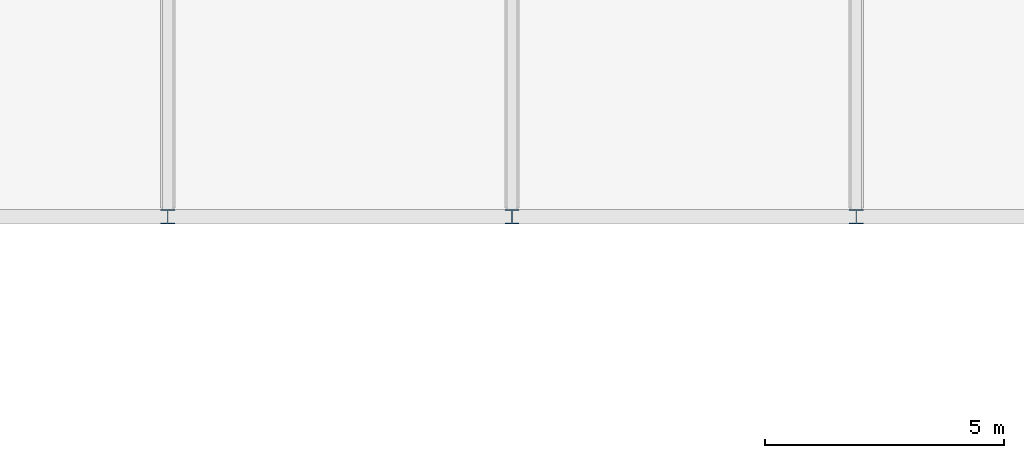
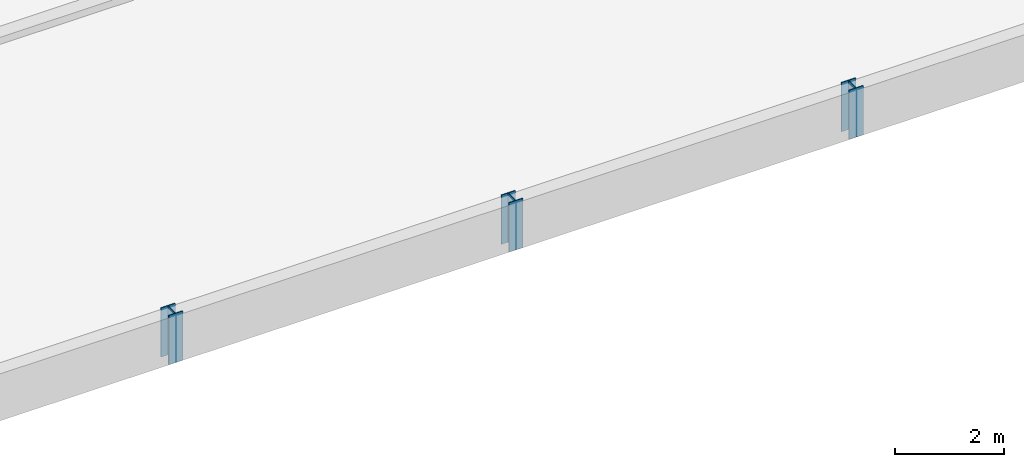
# One storey, part 3 of 19: 3 columns.
"""IFC4 building model written with IfcOpenShell, lengths in metres."""

from ifc_helpers import new_model, si_unit, direction, frame, origin, origin_2d, place, context, subcontext, project, spatial, i_section, extrude, material, material_profile, profile_set, type_object, element, save


model = new_model("IFC4")

# Units and contexts
model_context = context("Model", 3, precision=1e-05, world=origin(), true_north=direction((0.0, 1.0)))
body_context = subcontext(model_context, "Body", "Model", "MODEL_VIEW")
ifc_project = project(units=[si_unit("LENGTHUNIT", "METRE"), si_unit("AREAUNIT", "SQUARE_METRE"), si_unit("VOLUMEUNIT", "CUBIC_METRE"), si_unit("PLANEANGLEUNIT", "RADIAN"), si_unit("MASSUNIT", "GRAM", prefix="KILO")], contexts=[model_context])

# Site, building, storey
site_placement = place(None, origin())
site = spatial("IfcSite", under=ifc_project, at=site_placement, CompositionType="ELEMENT")
building_placement = place(site_placement, origin())
building = spatial("IfcBuilding", under=site, at=building_placement, Name="Thalmaran Polytechnic", CompositionType="ELEMENT")
storey_placement = place(building_placement, frame((0.0, 0.0, 26.699951171875)))
storey = spatial("IfcBuildingStorey", under=building, at=storey_placement, Name="L06", CompositionType="ELEMENT", Elevation=26.699951171875)

# Columns
ifc_material = material(Name="Steel S355", Category="steel")
ifc_material_profile = material_profile(ifc_material, i_section(OverallWidth=0.300048828125, OverallDepth=0.300048828125, WebThickness=0.010986328125, FlangeThickness=0.01904296875, at=origin_2d()), Name="HEB 300")
ifc_profile_set = profile_set([ifc_material_profile], Name="Steel S355")
column_type = type_object("IfcColumnType", Name="COL-SC2", PredefinedType="COLUMN", material=ifc_profile_set)
for number, where, z_axis, x_axis, name in (
    (1, (43.199951171875, 93.60009765625, 0.0), (0.0, 0.0, 1.0), (1.0, 0.0, 0.0), "Library Sawtooth Post G06x13"),
    (2, (50.39990234375, 93.60009765625, 0.0), (0.0, 0.0, 1.0), (1.0, 0.0, 0.0), "Library Sawtooth Post G07x13"),
    (3, (57.60009765625, 93.60009765625, 0.0), (0.0, 0.0, 1.0), (1.0, 0.0, 0.0), "Library Sawtooth Post G08x13"),
):
    element("IfcColumn", number, at=place(storey_placement, frame(where, z_axis=z_axis, x_axis=x_axis)), inside=storey, type_object=column_type, Name=name, PredefinedType="COLUMN", context=body_context, shape_type="SweptSolid", body=[
        extrude(i_section(OverallWidth=0.300048828125, OverallDepth=0.300048828125, WebThickness=0.010986328125, FlangeThickness=0.01904296875, at=origin_2d()), origin(), (0.0, 0.0, 1.0), 1.10009765625),
    ])

save(model, "model.ifc")
